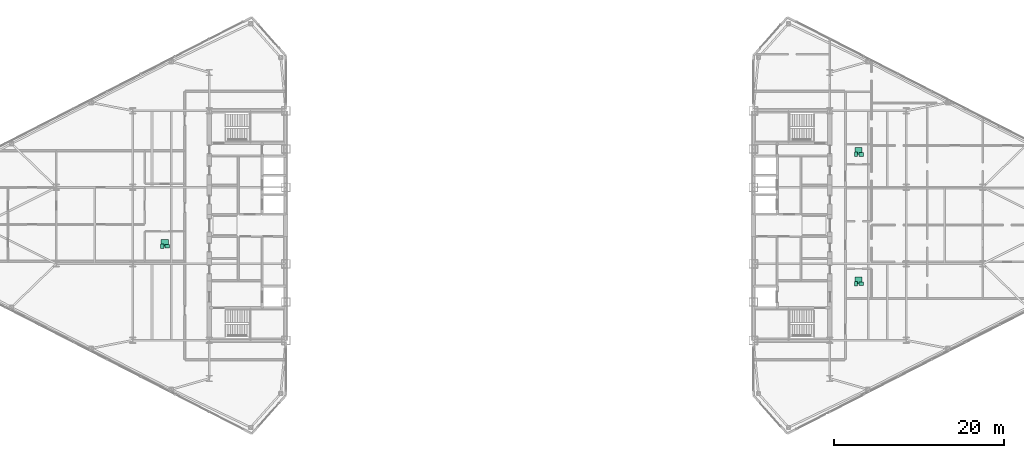
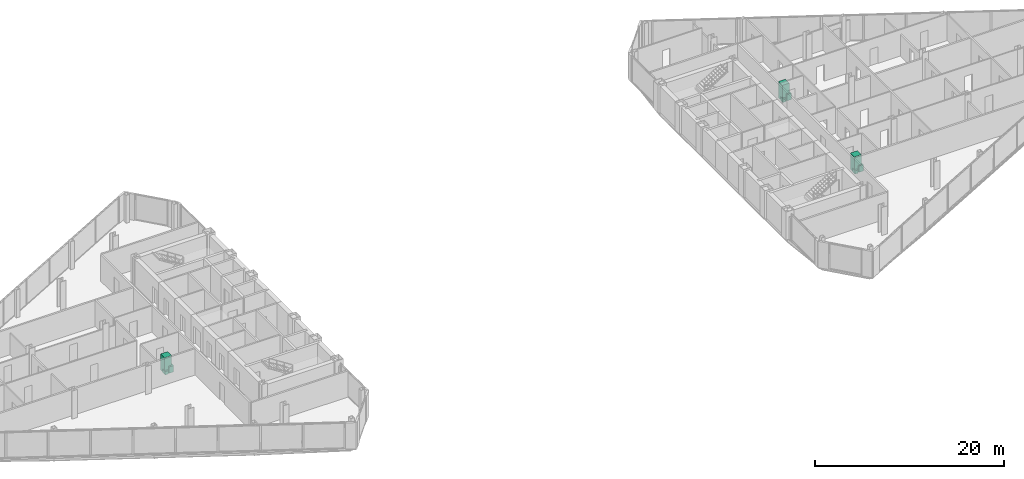
# One storey, part 22 of 22: 9 sanitary terminals.
"""IFC4 building model written with IfcOpenShell, lengths in metres."""

from ifc_helpers import new_model, si_unit, direction, frame, origin, origin_2d, place, context, subcontext, project, spatial, rectangle, extrude, source, transform, mapped, material, type_object, type_shapes, element, save


model = new_model("IFC4")

# Units and contexts
model_context = context("Model", 3, precision=1e-05, world=origin(), true_north=direction((0.0, 1.0)))
body_context = subcontext(model_context, "Body", "Model", "MODEL_VIEW")
ifc_project = project(units=[si_unit("LENGTHUNIT", "METRE"), si_unit("AREAUNIT", "SQUARE_METRE"), si_unit("VOLUMEUNIT", "CUBIC_METRE"), si_unit("PLANEANGLEUNIT", "RADIAN"), si_unit("MASSUNIT", "GRAM", prefix="KILO")], contexts=[model_context])

# Site, building, storey
site_placement = place(None, origin())
site = spatial("IfcSite", under=ifc_project, at=site_placement, CompositionType="ELEMENT")
building_placement = place(site_placement, origin())
building = spatial("IfcBuilding", under=site, at=building_placement, Name="Seokmaru Belvedere", CompositionType="ELEMENT")
storey_placement = place(building_placement, frame((0.0, 0.0, 151.199951171875)))
storey = spatial("IfcBuildingStorey", under=building, at=storey_placement, Name="L40", CompositionType="ELEMENT", Elevation=151.199951171875)

# Sanitary terminals
ifc_material_1 = material(Name="Vitreous China Sanitaryware")
sanitary_terminal_type_1 = type_object("IfcSanitaryTerminalType", Name="Wall-Hung Vitreous China WC Pan", PredefinedType="TOILETPAN", material=ifc_material_1)
shared_shape_1 = source(origin(), body_context, "Body", "SweptSolid", [
    extrude(rectangle(XDim=0.3798828125, YDim=0.56005859375, at=origin_2d()), origin(), (0.0, 0.0, 1.0), 0.419921875),
])
type_shapes(sanitary_terminal_type_1, [shared_shape_1])
for number, where, z_axis, x_axis, name in (
    (1, (-42.050048828125, -2.446044921875, 0.0), (0.0, 0.0, 1.0), (1.0, 0.0, 0.0), "L40 Vitreous China WC 0220"),
    (2, (39.574951171875, -6.845947265625, 0.0), (0.0, 0.0, 1.0), (1.0, 0.0, 0.0), "L40 Vitreous China WC 0221"),
    (3, (39.574951171875, 8.3701171875, 0.0), (0.0, 0.0, 1.0), (1.0, 0.0, 0.0), "L40 Vitreous China WC 0222"),
):
    element("IfcSanitaryTerminal", number, at=place(storey_placement, frame(where, z_axis=z_axis, x_axis=x_axis)), inside=storey, type_object=sanitary_terminal_type_1, Name=name, PredefinedType="TOILETPAN", context=body_context, shape_type="MappedRepresentation", body=[
        mapped(shared_shape_1, transform((0.0, 0.0, 0.0), scale=1.0)),
    ])
sanitary_terminal_type_2 = type_object("IfcSanitaryTerminalType", Name="Countertop Ceramic Washhand Basin", PredefinedType="WASHHANDBASIN", material=ifc_material_1)
shared_shape_2 = source(origin(), body_context, "Body", "SweptSolid", [
    extrude(rectangle(XDim=0.550048828125, YDim=0.449951171875, at=origin_2d()), origin(), (0.0, 0.0, 1.0), 0.820068359375),
])
type_shapes(sanitary_terminal_type_2, [shared_shape_2])
for number, where, z_axis, x_axis, name in (
    (4, (-41.449951171875, -2.446044921875, 0.0), (0.0, 0.0, 1.0), (1.0, 0.0, 0.0), "L40 Ceramic Washhand Basin 0220"),
    (5, (40.175048828125, -6.845947265625, 0.0), (0.0, 0.0, 1.0), (1.0, 0.0, 0.0), "L40 Ceramic Washhand Basin 0221"),
    (6, (40.175048828125, 8.3701171875, 0.0), (0.0, 0.0, 1.0), (1.0, 0.0, 0.0), "L40 Ceramic Washhand Basin 0222"),
):
    element("IfcSanitaryTerminal", number, at=place(storey_placement, frame(where, z_axis=z_axis, x_axis=x_axis)), inside=storey, type_object=sanitary_terminal_type_2, Name=name, PredefinedType="WASHHANDBASIN", context=body_context, shape_type="MappedRepresentation", body=[
        mapped(shared_shape_2, transform((0.0, 0.0, 0.0), scale=1.0)),
    ])
ifc_material_2 = material(Name="Stainless Steel 316", Category="steel")
sanitary_terminal_type_3 = type_object("IfcSanitaryTerminalType", Name="Walk-In Thermostatic Rain Shower Enclosure", PredefinedType="SHOWER", material=ifc_material_2)
shared_shape_3 = source(origin(), body_context, "Body", "SweptSolid", [
    extrude(rectangle(XDim=0.85009765625, YDim=0.85009765625, at=origin_2d()), origin(), (0.0, 0.0, 1.0), 2.050048828125),
])
type_shapes(sanitary_terminal_type_3, [shared_shape_3])
for number, where, z_axis, x_axis, name in (
    (7, (-41.75, -2.06591796875, 0.0), (0.0, 0.0, 1.0), (1.0, 0.0, 0.0), "L40 Walk-In Shower 0220"),
    (8, (39.875, -6.466064453125, 0.0), (0.0, 0.0, 1.0), (1.0, 0.0, 0.0), "L40 Walk-In Shower 0221"),
    (9, (39.875, 8.75, 0.0), (0.0, 0.0, 1.0), (1.0, 0.0, 0.0), "L40 Walk-In Shower 0222"),
):
    element("IfcSanitaryTerminal", number, at=place(storey_placement, frame(where, z_axis=z_axis, x_axis=x_axis)), inside=storey, type_object=sanitary_terminal_type_3, Name=name, PredefinedType="SHOWER", context=body_context, shape_type="MappedRepresentation", body=[
        mapped(shared_shape_3, transform((0.0, 0.0, 0.0), scale=1.0)),
    ])

save(model, "model.ifc")
